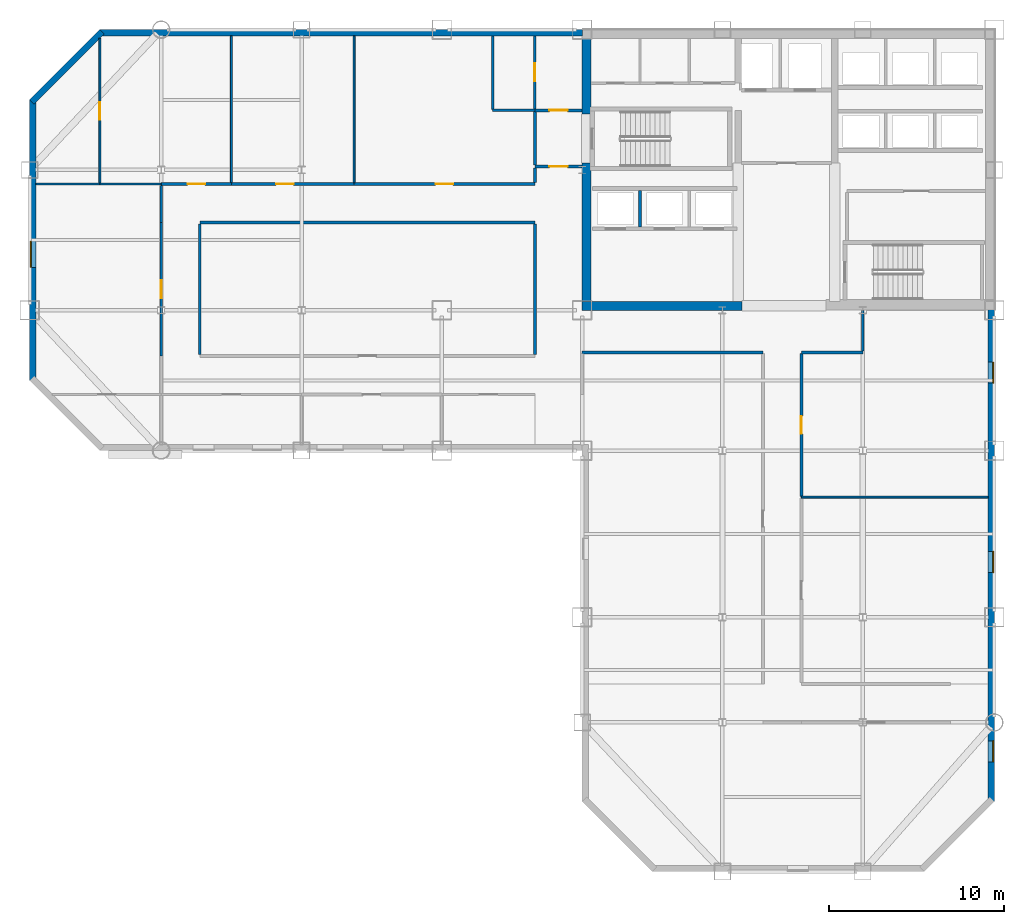
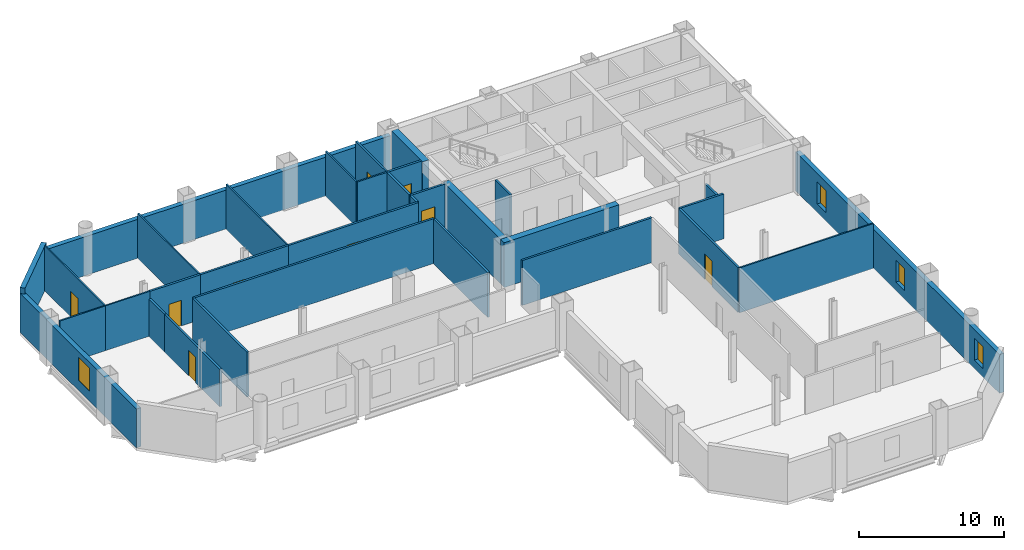
# One storey, part 6 of 10: 33 walls, 9 doors, 4 windows, 13 openings.
"""IFC4 building model written with IfcOpenShell, lengths in metres."""

from ifc_helpers import new_model, si_unit, direction, frame, frame_2d, origin, place, context, subcontext, project, spatial, rectangle, extrude, material, layer, layer_set, type_object, element, fill, save


model = new_model("IFC4")

# Units and contexts
model_context = context("Model", 3, precision=1e-05, world=origin(), true_north=direction((0.0, 1.0)))
body_context = subcontext(model_context, "Body", "Model", "MODEL_VIEW")
ifc_project = project(units=[si_unit("LENGTHUNIT", "METRE"), si_unit("AREAUNIT", "SQUARE_METRE"), si_unit("VOLUMEUNIT", "CUBIC_METRE"), si_unit("PLANEANGLEUNIT", "RADIAN"), si_unit("MASSUNIT", "GRAM", prefix="KILO")], contexts=[model_context])

# Site, building, storey
site_placement = place(None, origin())
site = spatial("IfcSite", under=ifc_project, at=site_placement, CompositionType="ELEMENT")
building_placement = place(site_placement, origin())
building = spatial("IfcBuilding", under=site, at=building_placement, Name="Qianrong Seaharbour Tower", CompositionType="ELEMENT")
storey_placement = place(building_placement, frame((0.0, 0.0, 171.0)))
storey = spatial("IfcBuildingStorey", under=building, at=storey_placement, Name="L41", CompositionType="ELEMENT", Elevation=171.0)

# Walls
ifc_material_1 = material(Name="Concrete C60/75", Category="concrete")
ifc_layer_1 = layer(ifc_material_1, 0.5)
ifc_layer_set_1 = layer_set([ifc_layer_1], Name="Concrete C60/75")
wall_type_1 = type_object("IfcWallType", Name="WALL-CORE-500", PredefinedType="SHEAR", material=ifc_layer_set_1)
wall_1_placement = place(storey_placement, frame((40.75, 36.5, 0.0), z_axis=(0.0, 0.0, 1.0), x_axis=(0.0, 1.0, 0.0)))
element("IfcWall", 1, at=wall_1_placement, inside=storey, type_object=wall_type_1, Name="L41 West Core Shear Wall South", PredefinedType="SHEAR", context=body_context, shape_type="SweptSolid", body=[
    extrude(rectangle(XDim=7.89990234375, YDim=0.5, at=frame_2d((3.949951171875, 0.0))), origin(), (0.0, 0.0, 1.0), 3.764892578125),
])
wall_2_placement = place(storey_placement, frame((40.75, 47.199951171875, 0.0), z_axis=(0.0, 0.0, 1.0), x_axis=(0.0, 1.0, 0.0)))
element("IfcWall", 2, at=wall_2_placement, inside=storey, type_object=wall_type_1, Name="L41 West Core Shear Wall North", PredefinedType="SHEAR", context=body_context, shape_type="SweptSolid", body=[
    extrude(rectangle(XDim=4.300048828125, YDim=0.5, at=frame_2d((2.14990234375, 0.0))), origin(), (0.0, 0.0, 1.0), 3.764892578125),
])
wall_3_placement = place(storey_placement, frame((40.5, 36.25, 0.0), z_axis=(0.0, 0.0, 1.0), x_axis=(1.0, 0.0, 0.0)))
element("IfcWall", 3, at=wall_3_placement, inside=storey, type_object=wall_type_1, Name="L41 South Core Shear Wall S1", PredefinedType="SHEAR", context=body_context, shape_type="SweptSolid", body=[
    extrude(rectangle(XDim=9.10009765625, YDim=0.5, at=frame_2d((4.550048828125, 0.0))), origin(), (0.0, 0.0, 1.0), 3.764892578125),
])

# Wall, opening, door
ifc_material_2 = material(Name="Fire-rated acoustic gypsum board partition")
ifc_layer_2 = layer(ifc_material_2, 0.1650390625)
ifc_layer_set_2 = layer_set([ifc_layer_2], Name="Fire-rated acoustic gypsum board partition")
wall_type_2 = type_object("IfcWallType", Name="WALL-CORR-PART-165", PredefinedType="PARTITIONING", material=ifc_layer_set_2)
wall_4_placement = place(storey_placement, frame((37.800048828125, 47.39990234375, 0.0), z_axis=(0.0, 0.0, 1.0), x_axis=(1.0, 0.0, 0.0)))
wall_4 = element("IfcWall", 4, at=wall_4_placement, inside=storey, type_object=wall_type_2, Name="L41 Interior Partition Wall 001", PredefinedType="PARTITIONING", context=body_context, shape_type="SweptSolid", body=[
    extrude(rectangle(XDim=2.699951171875, YDim=0.1650390625, at=frame_2d((1.35009765625, 0.0))), origin(), (0.0, 0.0, 1.0), 3.764892578125),
])
opening_1_placement = place(wall_4_placement, frame((0.824951171875, 0.0, 0.0)))
opening_1 = element("IfcOpeningElement", 5, at=opening_1_placement, cuts=wall_4, Name="Opening DC-01", PredefinedType="OPENING", context=body_context, shape_type="SweptSolid", body=[
    extrude(rectangle(XDim=1.050048828125, YDim=2.14990234375, at=frame_2d((0.52490234375, 1.074951171875))), frame((0.0, 0.092529296875, 0.0), z_axis=(0.0, -1.0, 0.0), x_axis=(1.0, 0.0, 0.0)), (0.0, 0.0, 1.0), 0.18505859375),
])
ifc_material_3 = material(Name="Acoustic timber and galvanized steel fire door assembly", Category="steel")
door_type_1 = type_object("IfcDoorType", Name="DOOR-CORR-FD60-1050x2150", OperationType="NOTDEFINED", PredefinedType="DOOR", material=ifc_material_3)
door_1_placement = place(opening_1_placement, origin())
door_1 = element("IfcDoor", 6, at=door_1_placement, inside=storey, type_object=door_type_1, Name="L41 Smokeproof Stair Vestibule ST-1 Door", OperationType="SINGLE_SWING_LEFT", OverallHeight=2.14990234375, OverallWidth=1.050048828125, PredefinedType="DOOR", context=body_context, shape_type="SweptSolid", body=[
    extrude(rectangle(XDim=1.050048828125, YDim=2.14990234375, at=frame_2d((0.52490234375, 1.074951171875))), frame((0.0, 0.02490234375, 0.0), z_axis=(0.0, -1.0, 0.0), x_axis=(1.0, 0.0, 0.0)), (0.0, 0.0, 1.0), 0.050048828125),
])
fill(opening_1, door_1)

wall_5_placement = place(storey_placement, frame((40.5, 44.199951171875, 0.0), z_axis=(0.0, 0.0, 1.0), x_axis=(-1.0, 0.0, 0.0)))
wall_5 = element("IfcWall", 7, at=wall_5_placement, inside=storey, type_object=wall_type_2, Name="L41 Interior Partition Wall 002", PredefinedType="PARTITIONING", context=body_context, shape_type="SweptSolid", body=[
    extrude(rectangle(XDim=2.699951171875, YDim=0.1650390625, at=frame_2d((1.35009765625, 0.0))), origin(), (0.0, 0.0, 1.0), 3.764892578125),
])
opening_2_placement = place(wall_5_placement, frame((0.824951171875, 0.0, 0.0)))
opening_2 = element("IfcOpeningElement", 8, at=opening_2_placement, cuts=wall_5, Name="Opening DC-01", PredefinedType="OPENING", context=body_context, shape_type="SweptSolid", body=[
    extrude(rectangle(XDim=1.050048828125, YDim=2.14990234375, at=frame_2d((0.52490234375, 1.074951171875))), frame((0.0, 0.092529296875, 0.0), z_axis=(0.0, -1.0, 0.0), x_axis=(1.0, 0.0, 0.0)), (0.0, 0.0, 1.0), 0.18505859375),
])
door_2_placement = place(opening_2_placement, origin())
door_2 = element("IfcDoor", 9, at=door_2_placement, inside=storey, type_object=door_type_1, Name="L41 Smokeproof Stair Vestibule ST-1 Door", OperationType="SINGLE_SWING_RIGHT", OverallHeight=2.14990234375, OverallWidth=1.050048828125, PredefinedType="DOOR", context=body_context, shape_type="SweptSolid", body=[
    extrude(rectangle(XDim=1.050048828125, YDim=2.14990234375, at=frame_2d((0.52490234375, 1.074951171875))), frame((0.0, 0.02490234375, 0.0), z_axis=(0.0, -1.0, 0.0), x_axis=(1.0, 0.0, 0.0)), (0.0, 0.0, 1.0), 0.050048828125),
])
fill(opening_2, door_2)

# Wall
wall_6_placement = place(storey_placement, frame((37.800048828125, 44.2744140625, 0.0), z_axis=(0.0, 0.0, 1.0), x_axis=(0.0, 1.0, 0.0)))
element("IfcWall", 10, at=wall_6_placement, inside=storey, type_object=wall_type_2, Name="L41 Interior Partition Wall 003", PredefinedType="PARTITIONING", context=body_context, shape_type="SweptSolid", body=[
    extrude(rectangle(XDim=3.051025390625, YDim=0.1650390625, at=frame_2d((1.525390625, 0.0))), origin(), (0.0, 0.0, 1.0), 3.764892578125),
])

# Wall, opening, door
wall_7_placement = place(storey_placement, frame((16.5, 43.199951171875, 0.0), z_axis=(0.0, 0.0, 1.0), x_axis=(1.0, 0.0, 0.0)))
wall_7 = element("IfcWall", 11, at=wall_7_placement, inside=storey, type_object=wall_type_2, Name="L41 Interior Partition Wall 020", PredefinedType="PARTITIONING", context=body_context, shape_type="SweptSolid", body=[
    extrude(rectangle(XDim=4.0, YDim=0.1650390625, at=frame_2d((2.0, 0.0))), origin(), (0.0, 0.0, 1.0), 3.764892578125),
])
opening_3_placement = place(wall_7_placement, frame((1.5, 0.0, 0.0)))
opening_3 = element("IfcOpeningElement", 12, at=opening_3_placement, cuts=wall_7, Name="Opening DO-01", PredefinedType="OPENING", context=body_context, shape_type="SweptSolid", body=[
    extrude(rectangle(XDim=1.0, YDim=2.14990234375, at=frame_2d((0.5, 1.074951171875))), frame((0.0, 0.092529296875, 0.0), z_axis=(0.0, -1.0, 0.0), x_axis=(1.0, 0.0, 0.0)), (0.0, 0.0, 1.0), 0.18505859375),
])
door_type_2 = type_object("IfcDoorType", Name="DOOR-OFFICE-1000x2150", OperationType="NOTDEFINED", PredefinedType="DOOR", material=ifc_material_3)
door_3_placement = place(opening_3_placement, origin())
door_3 = element("IfcDoor", 13, at=door_3_placement, inside=storey, type_object=door_type_2, Name="L41 Physiotherapy Room 2 Door", OperationType="SINGLE_SWING_RIGHT", OverallHeight=2.14990234375, OverallWidth=1.0, PredefinedType="DOOR", context=body_context, shape_type="SweptSolid", body=[
    extrude(rectangle(XDim=1.0, YDim=2.14990234375, at=frame_2d((0.5, 1.074951171875))), frame((0.0, 0.02490234375, 0.0), z_axis=(0.0, -1.0, 0.0), x_axis=(1.0, 0.0, 0.0)), (0.0, 0.0, 1.0), 0.050048828125),
])
fill(opening_3, door_3)

wall_8_placement = place(storey_placement, frame((20.5, 43.199951171875, 0.0), z_axis=(0.0, 0.0, 1.0), x_axis=(1.0, 0.0, 0.0)))
wall_8 = element("IfcWall", 14, at=wall_8_placement, inside=storey, type_object=wall_type_2, Name="L41 Interior Partition Wall 021", PredefinedType="PARTITIONING", context=body_context, shape_type="SweptSolid", body=[
    extrude(rectangle(XDim=7.0, YDim=0.1650390625, at=frame_2d((3.5, 0.0))), origin(), (0.0, 0.0, 1.0), 3.764892578125),
])
opening_4_placement = place(wall_8_placement, frame((2.550048828125, 0.0, 0.0)))
opening_4 = element("IfcOpeningElement", 15, at=opening_4_placement, cuts=wall_8, Name="Opening DO-01", PredefinedType="OPENING", context=body_context, shape_type="SweptSolid", body=[
    extrude(rectangle(XDim=1.0, YDim=2.14990234375, at=frame_2d((0.5, 1.074951171875))), frame((0.0, 0.092529296875, 0.0), z_axis=(0.0, -1.0, 0.0), x_axis=(1.0, 0.0, 0.0)), (0.0, 0.0, 1.0), 0.18505859375),
])
door_4_placement = place(opening_4_placement, origin())
door_4 = element("IfcDoor", 16, at=door_4_placement, inside=storey, type_object=door_type_2, Name="L41 First Aid Nursing Room 3 Door", OperationType="SINGLE_SWING_LEFT", OverallHeight=2.14990234375, OverallWidth=1.0, PredefinedType="DOOR", context=body_context, shape_type="SweptSolid", body=[
    extrude(rectangle(XDim=1.0, YDim=2.14990234375, at=frame_2d((0.5, 1.074951171875))), frame((0.0, 0.02490234375, 0.0), z_axis=(0.0, -1.0, 0.0), x_axis=(1.0, 0.0, 0.0)), (0.0, 0.0, 1.0), 0.050048828125),
])
fill(opening_4, door_4)

wall_9_placement = place(storey_placement, frame((27.5, 43.199951171875, 0.0), z_axis=(0.0, 0.0, 1.0), x_axis=(1.0, 0.0, 0.0)))
wall_9 = element("IfcWall", 17, at=wall_9_placement, inside=storey, type_object=wall_type_2, Name="L41 Interior Partition Wall 022", PredefinedType="PARTITIONING", context=body_context, shape_type="SweptSolid", body=[
    extrude(rectangle(XDim=10.300048828125, YDim=0.1650390625, at=frame_2d((5.14990234375, 0.0))), origin(), (0.0, 0.0, 1.0), 3.764892578125),
])
opening_5_placement = place(wall_9_placement, frame((4.64990234375, 0.0, 0.0)))
opening_5 = element("IfcOpeningElement", 18, at=opening_5_placement, cuts=wall_9, Name="Opening DO-01", PredefinedType="OPENING", context=body_context, shape_type="SweptSolid", body=[
    extrude(rectangle(XDim=1.0, YDim=2.14990234375, at=frame_2d((0.5, 1.074951171875))), frame((0.0, 0.092529296875, 0.0), z_axis=(0.0, -1.0, 0.0), x_axis=(1.0, 0.0, 0.0)), (0.0, 0.0, 1.0), 0.18505859375),
])
door_5_placement = place(opening_5_placement, origin())
door_5 = element("IfcDoor", 19, at=door_5_placement, inside=storey, type_object=door_type_2, Name="L41 Case Coordinator Office 4 Door", OperationType="SINGLE_SWING_RIGHT", OverallHeight=2.14990234375, OverallWidth=1.0, PredefinedType="DOOR", context=body_context, shape_type="SweptSolid", body=[
    extrude(rectangle(XDim=1.0, YDim=2.14990234375, at=frame_2d((0.5, 1.074951171875))), frame((0.0, 0.02490234375, 0.0), z_axis=(0.0, -1.0, 0.0), x_axis=(1.0, 0.0, 0.0)), (0.0, 0.0, 1.0), 0.050048828125),
])
fill(opening_5, door_5)

# Walls
wall_10_placement = place(storey_placement, frame((37.800048828125, 41.0, 0.0), z_axis=(0.0, 0.0, 1.0), x_axis=(-1.0, 0.0, 0.0)))
element("IfcWall", 20, at=wall_10_placement, inside=storey, type_object=wall_type_2, Name="L41 Interior Partition Wall 023", PredefinedType="PARTITIONING", context=body_context, shape_type="SweptSolid", body=[
    extrude(rectangle(XDim=19.10009765625, YDim=0.1650390625, at=frame_2d((9.550048828125, 0.0))), origin(), (0.0, 0.0, 1.0), 3.764892578125),
])
wall_11_placement = place(storey_placement, frame((16.5, 41.0, 0.0), z_axis=(0.0, 0.0, 1.0), x_axis=(0.0, 1.0, 0.0)))
element("IfcWall", 21, at=wall_11_placement, inside=storey, type_object=wall_type_2, Name="L41 Interior Partition Wall 024", PredefinedType="PARTITIONING", context=body_context, shape_type="SweptSolid", body=[
    extrude(rectangle(XDim=2.12548828125, YDim=0.1650390625, at=frame_2d((1.062744140625, 0.0))), origin(), (0.0, 0.0, 1.0), 3.156982421875),
])
wall_12_placement = place(storey_placement, frame((18.699951171875, 40.925537109375, 0.0), z_axis=(0.0, 0.0, 1.0), x_axis=(0.0, -1.0, 0.0)))
element("IfcWall", 22, at=wall_12_placement, inside=storey, type_object=wall_type_2, Name="L41 Interior Partition Wall 025", PredefinedType="PARTITIONING", context=body_context, shape_type="SweptSolid", body=[
    extrude(rectangle(XDim=7.450927734375, YDim=0.1650390625, at=frame_2d((3.7255859375, 0.0))), origin(), (0.0, 0.0, 1.0), 3.764892578125),
])

# Wall, opening, door
wall_13_placement = place(storey_placement, frame((16.5, 33.39990234375, 0.0), z_axis=(0.0, 0.0, 1.0), x_axis=(0.0, 1.0, 0.0)))
wall_13 = element("IfcWall", 23, at=wall_13_placement, inside=storey, type_object=wall_type_2, Name="L41 Interior Partition Wall 026", PredefinedType="PARTITIONING", context=body_context, shape_type="SweptSolid", body=[
    extrude(rectangle(XDim=7.60009765625, YDim=0.1650390625, at=frame_2d((3.800048828125, 0.0))), origin(), (0.0, 0.0, 1.0), 3.156982421875),
])
opening_6_placement = place(wall_13_placement, frame((3.300048828125, 0.0, 0.0)))
opening_6 = element("IfcOpeningElement", 24, at=opening_6_placement, cuts=wall_13, Name="Opening DO-01", PredefinedType="OPENING", context=body_context, shape_type="SweptSolid", body=[
    extrude(rectangle(XDim=1.0, YDim=2.14990234375, at=frame_2d((0.5, 1.074951171875))), frame((0.0, 0.092529296875, 0.0), z_axis=(0.0, -1.0, 0.0), x_axis=(1.0, 0.0, 0.0)), (0.0, 0.0, 1.0), 0.18505859375),
])
door_6_placement = place(opening_6_placement, origin())
door_6 = element("IfcDoor", 25, at=door_6_placement, inside=storey, type_object=door_type_2, Name="L41 Ergonomics Assessment Hall Door", OperationType="SINGLE_SWING_RIGHT", OverallHeight=2.14990234375, OverallWidth=1.0, PredefinedType="DOOR", context=body_context, shape_type="SweptSolid", body=[
    extrude(rectangle(XDim=1.0, YDim=2.14990234375, at=frame_2d((0.5, 1.074951171875))), frame((0.0, 0.02490234375, 0.0), z_axis=(0.0, -1.0, 0.0), x_axis=(1.0, 0.0, 0.0)), (0.0, 0.0, 1.0), 0.050048828125),
])
fill(opening_6, door_6)

# Walls
wall_14_placement = place(storey_placement, frame((37.800048828125, 43.2744140625, 0.0), z_axis=(0.0, 0.0, 1.0), x_axis=(0.0, 1.0, 0.0)))
element("IfcWall", 26, at=wall_14_placement, inside=storey, type_object=wall_type_2, Name="L41 Interior Partition Wall 027", PredefinedType="PARTITIONING", context=body_context, shape_type="SweptSolid", body=[
    extrude(rectangle(XDim=0.85107421875, YDim=0.1650390625, at=frame_2d((0.425537109375, 0.0))), origin(), (0.0, 0.0, 1.0), 3.764892578125),
])
wall_15_placement = place(storey_placement, frame((37.800048828125, 33.474609375, 0.0), z_axis=(0.0, 0.0, 1.0), x_axis=(0.0, 1.0, 0.0)))
element("IfcWall", 27, at=wall_15_placement, inside=storey, type_object=wall_type_2, Name="L41 Interior Partition Wall 028", PredefinedType="PARTITIONING", context=body_context, shape_type="SweptSolid", body=[
    extrude(rectangle(XDim=7.450927734375, YDim=0.1650390625, at=frame_2d((3.7255859375, 0.0))), origin(), (0.0, 0.0, 1.0), 3.764892578125),
])
wall_16_placement = place(storey_placement, frame((56.5, 36.0, 0.0), z_axis=(0.0, 0.0, 1.0), x_axis=(0.0, -1.0, 0.0)))
element("IfcWall", 28, at=wall_16_placement, inside=storey, type_object=wall_type_2, Name="L41 Interior Partition Wall 030", PredefinedType="PARTITIONING", context=body_context, shape_type="SweptSolid", body=[
    extrude(rectangle(XDim=2.325439453125, YDim=0.1650390625, at=frame_2d((1.16259765625, 0.0))), origin(), (0.0, 0.0, 1.0), 3.156982421875),
])
wall_17_placement = place(storey_placement, frame((56.5, 33.60009765625, 0.0), z_axis=(0.0, 0.0, 1.0), x_axis=(-1.0, 0.0, 0.0)))
element("IfcWall", 29, at=wall_17_placement, inside=storey, type_object=wall_type_2, Name="L41 Interior Partition Wall 031", PredefinedType="PARTITIONING", context=body_context, shape_type="SweptSolid", body=[
    extrude(rectangle(XDim=3.5, YDim=0.1650390625, at=frame_2d((1.75, 0.0))), origin(), (0.0, 0.0, 1.0), 3.764892578125),
])
wall_18_placement = place(storey_placement, frame((50.800048828125, 33.60009765625, 0.0), z_axis=(0.0, 0.0, 1.0), x_axis=(-1.0, 0.0, 0.0)))
element("IfcWall", 30, at=wall_18_placement, inside=storey, type_object=wall_type_2, Name="L41 Interior Partition Wall 032", PredefinedType="PARTITIONING", context=body_context, shape_type="SweptSolid", body=[
    extrude(rectangle(XDim=10.300048828125, YDim=0.1650390625, at=frame_2d((5.14990234375, 0.0))), origin(), (0.0, 0.0, 1.0), 3.764892578125),
])

# Wall, opening, door
wall_19_placement = place(storey_placement, frame((53.0, 33.525390625, 0.0), z_axis=(0.0, 0.0, 1.0), x_axis=(0.0, -1.0, 0.0)))
wall_19 = element("IfcWall", 31, at=wall_19_placement, inside=storey, type_object=wall_type_2, Name="L41 Interior Partition Wall 035", PredefinedType="PARTITIONING", context=body_context, shape_type="SweptSolid", body=[
    extrude(rectangle(XDim=8.12841796875, YDim=0.1650390625, at=frame_2d((4.064208984375, 0.0))), origin(), (0.0, 0.0, 1.0), 3.764892578125),
])
opening_7_placement = place(wall_19_placement, frame((3.564208984375, 0.0, 0.0)))
opening_7 = element("IfcOpeningElement", 32, at=opening_7_placement, cuts=wall_19, Name="Opening DO-01", PredefinedType="OPENING", context=body_context, shape_type="SweptSolid", body=[
    extrude(rectangle(XDim=1.0, YDim=2.14990234375, at=frame_2d((0.5, 1.074951171875))), frame((0.0, 0.092529296875, 0.0), z_axis=(0.0, -1.0, 0.0), x_axis=(1.0, 0.0, 0.0)), (0.0, 0.0, 1.0), 0.18505859375),
])
door_7_placement = place(opening_7_placement, origin())
door_7 = element("IfcDoor", 33, at=door_7_placement, inside=storey, type_object=door_type_2, Name="L41 Wellness Room 1 Door", OperationType="SINGLE_SWING_RIGHT", OverallHeight=2.14990234375, OverallWidth=1.0, PredefinedType="DOOR", context=body_context, shape_type="SweptSolid", body=[
    extrude(rectangle(XDim=1.0, YDim=2.14990234375, at=frame_2d((0.5, 1.074951171875))), frame((0.0, 0.02490234375, 0.0), z_axis=(0.0, -1.0, 0.0), x_axis=(1.0, 0.0, 0.0)), (0.0, 0.0, 1.0), 0.050048828125),
])
fill(opening_7, door_7)

# Wall
ifc_material_4 = material(Name="Demountable aluminium-framed acoustic office partition", Category="aluminium")
ifc_layer_3 = layer(ifc_material_4, 0.110107421875)
ifc_layer_set_3 = layer_set([ifc_layer_3], Name="Demountable aluminium-framed acoustic office partition")
wall_type_3 = type_object("IfcWallType", Name="WALL-DEMOUNT-110", PredefinedType="MOVABLE", material=ifc_layer_set_3)
wall_20_placement = place(storey_placement, frame((53.0, 25.35009765625, 0.0), z_axis=(0.0, 0.0, 1.0), x_axis=(1.0, 0.0, 0.0)))
element("IfcWall", 34, at=wall_20_placement, inside=storey, type_object=wall_type_3, Name="L41 Interior Partition Wall 039", PredefinedType="MOVABLE", context=body_context, shape_type="SweptSolid", body=[
    extrude(rectangle(XDim=10.64794921875, YDim=0.110107421875, at=frame_2d((5.323974609375, 0.0))), origin(), (0.0, 0.0, 1.0), 3.764892578125),
])

# Wall, opening, door
wall_21_placement = place(storey_placement, frame((13.0, 51.502197265625, 0.0), z_axis=(0.0, 0.0, 1.0), x_axis=(0.0, -1.0, 0.0)))
wall_21 = element("IfcWall", 35, at=wall_21_placement, inside=storey, type_object=wall_type_3, Name="L41 Interior Partition Wall 040", PredefinedType="MOVABLE", context=body_context, shape_type="SweptSolid", body=[
    extrude(rectangle(XDim=8.255126953125, YDim=0.110107421875, at=frame_2d((4.12744140625, 0.0))), origin(), (0.0, 0.0, 1.0), 3.764892578125),
])
opening_8_placement = place(wall_21_placement, frame((3.627685546875, 0.0, 0.0)))
opening_8 = element("IfcOpeningElement", 36, at=opening_8_placement, cuts=wall_21, Name="Opening DO-01", PredefinedType="OPENING", context=body_context, shape_type="SweptSolid", body=[
    extrude(rectangle(XDim=1.0, YDim=2.14990234375, at=frame_2d((0.5, 1.074951171875))), frame((0.0, 0.06494140625, 0.0), z_axis=(0.0, -1.0, 0.0), x_axis=(1.0, 0.0, 0.0)), (0.0, 0.0, 1.0), 0.130126953125),
])
door_8_placement = place(opening_8_placement, origin())
door_8 = element("IfcDoor", 37, at=door_8_placement, inside=storey, type_object=door_type_2, Name="L41 Occupational Health Clinic 1 Door", OperationType="SINGLE_SWING_LEFT", OverallHeight=2.14990234375, OverallWidth=1.0, PredefinedType="DOOR", context=body_context, shape_type="SweptSolid", body=[
    extrude(rectangle(XDim=1.0, YDim=2.14990234375, at=frame_2d((0.5, 1.074951171875))), frame((0.0, 0.02490234375, 0.0), z_axis=(0.0, -1.0, 0.0), x_axis=(1.0, 0.0, 0.0)), (0.0, 0.0, 1.0), 0.050048828125),
])
fill(opening_8, door_8)

# Walls
wall_22_placement = place(storey_placement, frame((13.0, 43.199951171875, 0.0), z_axis=(0.0, 0.0, 1.0), x_axis=(-1.0, 0.0, 0.0)))
element("IfcWall", 38, at=wall_22_placement, inside=storey, type_object=wall_type_3, Name="L41 Interior Partition Wall 041", PredefinedType="MOVABLE", context=body_context, shape_type="SweptSolid", body=[
    extrude(rectangle(XDim=3.64794921875, YDim=0.110107421875, at=frame_2d((1.823974609375, 0.0))), origin(), (0.0, 0.0, 1.0), 3.764892578125),
])
wall_23_placement = place(storey_placement, frame((20.5, 51.64794921875, 0.0), z_axis=(0.0, 0.0, 1.0), x_axis=(0.0, -1.0, 0.0)))
element("IfcWall", 39, at=wall_23_placement, inside=storey, type_object=wall_type_3, Name="L41 Interior Partition Wall 042", PredefinedType="MOVABLE", context=body_context, shape_type="SweptSolid", body=[
    extrude(rectangle(XDim=8.37353515625, YDim=0.110107421875, at=frame_2d((4.186767578125, 0.0))), origin(), (0.0, 0.0, 1.0), 3.764892578125),
])
wall_24_placement = place(storey_placement, frame((16.5, 43.199951171875, 0.0), z_axis=(0.0, 0.0, 1.0), x_axis=(-1.0, 0.0, 0.0)))
element("IfcWall", 40, at=wall_24_placement, inside=storey, type_object=wall_type_3, Name="L41 Interior Partition Wall 043", PredefinedType="MOVABLE", context=body_context, shape_type="SweptSolid", body=[
    extrude(rectangle(XDim=3.5, YDim=0.110107421875, at=frame_2d((1.75, 0.0))), origin(), (0.0, 0.0, 1.0), 3.764892578125),
])
wall_25_placement = place(storey_placement, frame((27.5, 51.64794921875, 0.0), z_axis=(0.0, 0.0, 1.0), x_axis=(0.0, -1.0, 0.0)))
element("IfcWall", 41, at=wall_25_placement, inside=storey, type_object=wall_type_3, Name="L41 Interior Partition Wall 044", PredefinedType="MOVABLE", context=body_context, shape_type="SweptSolid", body=[
    extrude(rectangle(XDim=8.37353515625, YDim=0.110107421875, at=frame_2d((4.186767578125, 0.0))), origin(), (0.0, 0.0, 1.0), 3.764892578125),
])

# Wall, opening, window
ifc_material_5 = material(Name="Unitised red brick on Precast concrete C45/55", Category="masonry")
ifc_layer_4 = layer(ifc_material_5, 0.360107421875)
ifc_layer_set_4 = layer_set([ifc_layer_4], Name="Unitised red brick on Precast concrete C45/55")
wall_type_4 = type_object("IfcWallType", Name="WALL-EXT-BRICK-RED-360", PredefinedType="SOLIDWALL", material=ifc_layer_set_4)
wall_26_placement = place(storey_placement, frame((9.179931640625, 32.0, 0.0), z_axis=(0.0, 0.0, 1.0), x_axis=(0.0, 1.0, 0.0)))
wall_26 = element("IfcWall", 42, at=wall_26_placement, inside=storey, type_object=wall_type_4, Name="L41 Exterior Masonry Facade Wall WEST_TIP", PredefinedType="SOLIDWALL", context=body_context, shape_type="SweptSolid", body=[
    extrude(rectangle(XDim=16.0, YDim=0.360107421875, at=frame_2d((8.0, 0.0))), origin(), (0.0, 0.0, 1.0), 3.264892578125),
])
opening_9_placement = place(wall_26_placement, frame((6.449951171875, 0.0, 0.85009765625)))
opening_9 = element("IfcOpeningElement", 43, at=opening_9_placement, cuts=wall_26, Name="Opening WN-03", PredefinedType="OPENING", context=body_context, shape_type="SweptSolid", body=[
    extrude(rectangle(XDim=1.5, YDim=1.949951171875, at=frame_2d((0.75, 0.97509765625))), frame((0.0, 0.18994140625, 0.0), z_axis=(0.0, -1.0, 0.0), x_axis=(1.0, 0.0, 0.0)), (0.0, 0.0, 1.0), 0.380126953125),
])
ifc_material_6 = material(Name="Insulated low-e double glazing in thermally broken aluminium 6063-T6 frame", Category="aluminium")
window_type_1 = type_object("IfcWindowType", Name="WIN-PUNCH-1500x1950", PartitioningType="DOUBLE_PANEL_VERTICAL", PredefinedType="WINDOW", material=ifc_material_6)
window_1_placement = place(opening_9_placement, origin())
window_1 = element("IfcWindow", 44, at=window_1_placement, inside=storey, type_object=window_type_1, Name="L41 Deep-Set Punched Window 03.02", OverallHeight=1.949951171875, OverallWidth=1.5, PartitioningType="DOUBLE_PANEL_VERTICAL", PredefinedType="WINDOW", context=body_context, shape_type="SweptSolid", body=[
    extrude(rectangle(XDim=1.5, YDim=1.949951171875, at=frame_2d((0.75, 0.97509765625))), frame((0.0, 0.150146484375, 0.0), z_axis=(0.0, -1.0, 0.0), x_axis=(1.0, 0.0, 0.0)), (0.0, 0.0, 1.0), 0.06005859375),
])
fill(opening_9, window_1)

# Walls
wall_27_placement = place(storey_placement, frame((9.127197265625, 47.872802734375, 0.0), z_axis=(0.0, 0.0, 1.0), x_axis=(0.707106781187, 0.707106781187, 0.0)))
element("IfcWall", 45, at=wall_27_placement, inside=storey, type_object=wall_type_4, Name="L41 Exterior Masonry Facade Wall E04", PredefinedType="SOLIDWALL", context=body_context, shape_type="SweptSolid", body=[
    extrude(rectangle(XDim=5.65673828125, YDim=0.360107421875, at=frame_2d((2.828369140625, 0.0))), origin(), (0.0, 0.0, 1.0), 3.764892578125),
])
wall_28_placement = place(storey_placement, frame((13.0, 51.820068359375, 0.0), z_axis=(0.0, 0.0, 1.0), x_axis=(1.0, 0.0, 0.0)))
element("IfcWall", 46, at=wall_28_placement, inside=storey, type_object=wall_type_4, Name="L41 Exterior Masonry Facade Wall NORTH_WING", PredefinedType="SOLIDWALL", context=body_context, shape_type="SweptSolid", body=[
    extrude(rectangle(XDim=27.52001953125, YDim=0.360107421875, at=frame_2d((13.760009765625, 0.0))), origin(), (0.0, 0.0, 1.0), 3.264892578125),
])

# Wall, openings, windows
wall_29_placement = place(storey_placement, frame((63.820068359375, 36.050048828125, 0.0), z_axis=(0.0, 0.0, 1.0), x_axis=(0.0, -1.0, 0.0)))
wall_29 = element("IfcWall", 47, at=wall_29_placement, inside=storey, type_object=wall_type_4, Name="L41 Exterior Masonry Facade Wall EAST_WING", PredefinedType="SOLIDWALL", context=body_context, shape_type="SweptSolid", body=[
    extrude(rectangle(XDim=28.050048828125, YDim=0.360107421875, at=frame_2d((14.02490234375, 0.0))), origin(), (0.0, 0.0, 1.0), 3.264892578125),
])
opening_10_placement = place(wall_29_placement, frame((3.0, 0.0, 0.699951171875)))
opening_10 = element("IfcOpeningElement", 48, at=opening_10_placement, cuts=wall_29, Name="Opening WN-01", PredefinedType="OPENING", context=body_context, shape_type="SweptSolid", body=[
    extrude(rectangle(XDim=1.199951171875, YDim=1.85009765625, at=frame_2d((0.60009765625, 0.925048828125))), frame((0.0, 0.18994140625, 0.0), z_axis=(0.0, -1.0, 0.0), x_axis=(1.0, 0.0, 0.0)), (0.0, 0.0, 1.0), 0.380126953125),
])
opening_11_placement = place(wall_29_placement, frame((13.800048828125, 0.0, 0.699951171875)))
opening_11 = element("IfcOpeningElement", 49, at=opening_11_placement, cuts=wall_29, Name="Opening WN-01", PredefinedType="OPENING", context=body_context, shape_type="SweptSolid", body=[
    extrude(rectangle(XDim=1.199951171875, YDim=1.85009765625, at=frame_2d((0.60009765625, 0.925048828125))), frame((0.0, 0.18994140625, 0.0), z_axis=(0.0, -1.0, 0.0), x_axis=(1.0, 0.0, 0.0)), (0.0, 0.0, 1.0), 0.380126953125),
])
opening_12_placement = place(wall_29_placement, frame((24.60009765625, 0.0, 0.699951171875)))
opening_12 = element("IfcOpeningElement", 50, at=opening_12_placement, cuts=wall_29, Name="Opening WN-01", PredefinedType="OPENING", context=body_context, shape_type="SweptSolid", body=[
    extrude(rectangle(XDim=1.199951171875, YDim=1.85009765625, at=frame_2d((0.60009765625, 0.925048828125))), frame((0.0, 0.18994140625, 0.0), z_axis=(0.0, -1.0, 0.0), x_axis=(1.0, 0.0, 0.0)), (0.0, 0.0, 1.0), 0.380126953125),
])
window_type_2 = type_object("IfcWindowType", Name="WIN-PUNCH-1200x1850", PartitioningType="DOUBLE_PANEL_VERTICAL", PredefinedType="WINDOW", material=ifc_material_6)
window_2_placement = place(opening_10_placement, origin())
window_2 = element("IfcWindow", 51, at=window_2_placement, inside=storey, type_object=window_type_2, Name="L41 Deep-Set Punched Window 06.01", OverallHeight=1.85009765625, OverallWidth=1.199951171875, PartitioningType="DOUBLE_PANEL_VERTICAL", PredefinedType="WINDOW", context=body_context, shape_type="SweptSolid", body=[
    extrude(rectangle(XDim=1.199951171875, YDim=1.85009765625, at=frame_2d((0.60009765625, 0.925048828125))), frame((0.0, 0.150146484375, 0.0), z_axis=(0.0, -1.0, 0.0), x_axis=(1.0, 0.0, 0.0)), (0.0, 0.0, 1.0), 0.06005859375),
])
fill(opening_10, window_2)
window_3_placement = place(opening_11_placement, origin())
window_3 = element("IfcWindow", 52, at=window_3_placement, inside=storey, type_object=window_type_2, Name="L41 Deep-Set Punched Window 06.04", OverallHeight=1.85009765625, OverallWidth=1.199951171875, PartitioningType="DOUBLE_PANEL_VERTICAL", PredefinedType="WINDOW", context=body_context, shape_type="SweptSolid", body=[
    extrude(rectangle(XDim=1.199951171875, YDim=1.85009765625, at=frame_2d((0.60009765625, 0.925048828125))), frame((0.0, 0.150146484375, 0.0), z_axis=(0.0, -1.0, 0.0), x_axis=(1.0, 0.0, 0.0)), (0.0, 0.0, 1.0), 0.06005859375),
])
fill(opening_11, window_3)
window_4_placement = place(opening_12_placement, origin())
window_4 = element("IfcWindow", 53, at=window_4_placement, inside=storey, type_object=window_type_2, Name="L41 Deep-Set Punched Window 06.07", OverallHeight=1.85009765625, OverallWidth=1.199951171875, PartitioningType="DOUBLE_PANEL_VERTICAL", PredefinedType="WINDOW", context=body_context, shape_type="SweptSolid", body=[
    extrude(rectangle(XDim=1.199951171875, YDim=1.85009765625, at=frame_2d((0.60009765625, 0.925048828125))), frame((0.0, 0.150146484375, 0.0), z_axis=(0.0, -1.0, 0.0), x_axis=(1.0, 0.0, 0.0)), (0.0, 0.0, 1.0), 0.06005859375),
])
fill(opening_12, window_4)

# Wall
ifc_material_7 = material(Name="Fire-rated gypsum board on steel studs", Category="steel")
ifc_layer_5 = layer(ifc_material_7, 0.14990234375)
ifc_layer_set_5 = layer_set([ifc_layer_5], Name="Fire-rated gypsum board on steel studs")
wall_type_5 = type_object("IfcWallType", Name="WALL-SHAFT-DIV-150", PredefinedType="PARTITIONING", material=ifc_layer_set_5)
wall_30_placement = place(storey_placement, frame((43.800048828125, 40.760009765625, 0.0), z_axis=(0.0, 0.0, 1.0), x_axis=(0.0, 1.0, 0.0)))
element("IfcWall", 54, at=wall_30_placement, inside=storey, type_object=wall_type_5, Name="L41 P2 Lift Hoistway Divider 2", PredefinedType="PARTITIONING", context=body_context, shape_type="SweptSolid", body=[
    extrude(rectangle(XDim=2.080078125, YDim=0.14990234375, at=frame_2d((1.0400390625, 0.0))), origin(), (0.0, 0.0, 1.0), 3.764892578125),
])

# Wall, opening, door
ifc_material_8 = material(Name="Water-resistant cement board sanitary partition")
ifc_layer_6 = layer(ifc_material_8, 0.1298828125)
ifc_layer_set_6 = layer_set([ifc_layer_6], Name="Water-resistant cement board sanitary partition")
wall_type_6 = type_object("IfcWallType", Name="WALL-WET-PART-130", PredefinedType="PARTITIONING", material=ifc_layer_set_6)
wall_31_placement = place(storey_placement, frame((37.800048828125, 47.474609375, 0.0), z_axis=(0.0, 0.0, 1.0), x_axis=(0.0, 1.0, 0.0)))
wall_31 = element("IfcWall", 55, at=wall_31_placement, inside=storey, type_object=wall_type_6, Name="L41 Interior Partition Wall 004", PredefinedType="PARTITIONING", context=body_context, shape_type="SweptSolid", body=[
    extrude(rectangle(XDim=4.17333984375, YDim=0.1298828125, at=frame_2d((2.086669921875, 0.0))), origin(), (0.0, 0.0, 1.0), 3.764892578125),
])
opening_13_placement = place(wall_31_placement, frame((1.57666015625, 0.0, 0.0)))
opening_13 = element("IfcOpeningElement", 56, at=opening_13_placement, cuts=wall_31, Name="Opening DAW-01", PredefinedType="OPENING", context=body_context, shape_type="SweptSolid", body=[
    extrude(rectangle(XDim=1.02001953125, YDim=2.14990234375, at=frame_2d((0.510009765625, 1.074951171875))), frame((0.0, 0.074951171875, 0.0), z_axis=(0.0, -1.0, 0.0), x_axis=(1.0, 0.0, 0.0)), (0.0, 0.0, 1.0), 0.14990234375),
])
door_type_3 = type_object("IfcDoorType", Name="DOOR-AWC-SLIDE-1020x2150", OperationType="SLIDING_TO_LEFT", PredefinedType="DOOR", material=ifc_material_3)
door_9_placement = place(opening_13_placement, origin())
door_9 = element("IfcDoor", 57, at=door_9_placement, inside=storey, type_object=door_type_3, Name="L41 Accessible Restroom WC Door", OperationType="SLIDING_TO_LEFT", OverallHeight=2.14990234375, OverallWidth=1.02001953125, PredefinedType="DOOR", context=body_context, shape_type="SweptSolid", body=[
    extrude(rectangle(XDim=1.02001953125, YDim=2.14990234375, at=frame_2d((0.510009765625, 1.074951171875))), frame((0.0, 0.02490234375, 0.0), z_axis=(0.0, -1.0, 0.0), x_axis=(1.0, 0.0, 0.0)), (0.0, 0.0, 1.0), 0.050048828125),
])
fill(opening_13, door_9)

# Walls
wall_32_placement = place(storey_placement, frame((37.800048828125, 47.39990234375, 0.0), z_axis=(0.0, 0.0, 1.0), x_axis=(-1.0, 0.0, 0.0)))
element("IfcWall", 58, at=wall_32_placement, inside=storey, type_object=wall_type_6, Name="L41 Interior Partition Wall 005", PredefinedType="PARTITIONING", context=body_context, shape_type="SweptSolid", body=[
    extrude(rectangle(XDim=2.400146484375, YDim=0.1298828125, at=frame_2d((1.2001953125, 0.0))), origin(), (0.0, 0.0, 1.0), 3.764892578125),
])
wall_33_placement = place(storey_placement, frame((35.39990234375, 47.45703125, 0.0), z_axis=(0.0, 0.0, 1.0), x_axis=(0.0, 1.0, 0.0)))
element("IfcWall", 59, at=wall_33_placement, inside=storey, type_object=wall_type_6, Name="L41 Interior Partition Wall 006", PredefinedType="PARTITIONING", context=body_context, shape_type="SweptSolid", body=[
    extrude(rectangle(XDim=4.19091796875, YDim=0.1298828125, at=frame_2d((2.095458984375, 0.0))), origin(), (0.0, 0.0, 1.0), 3.764892578125),
])

save(model, "model.ifc")
